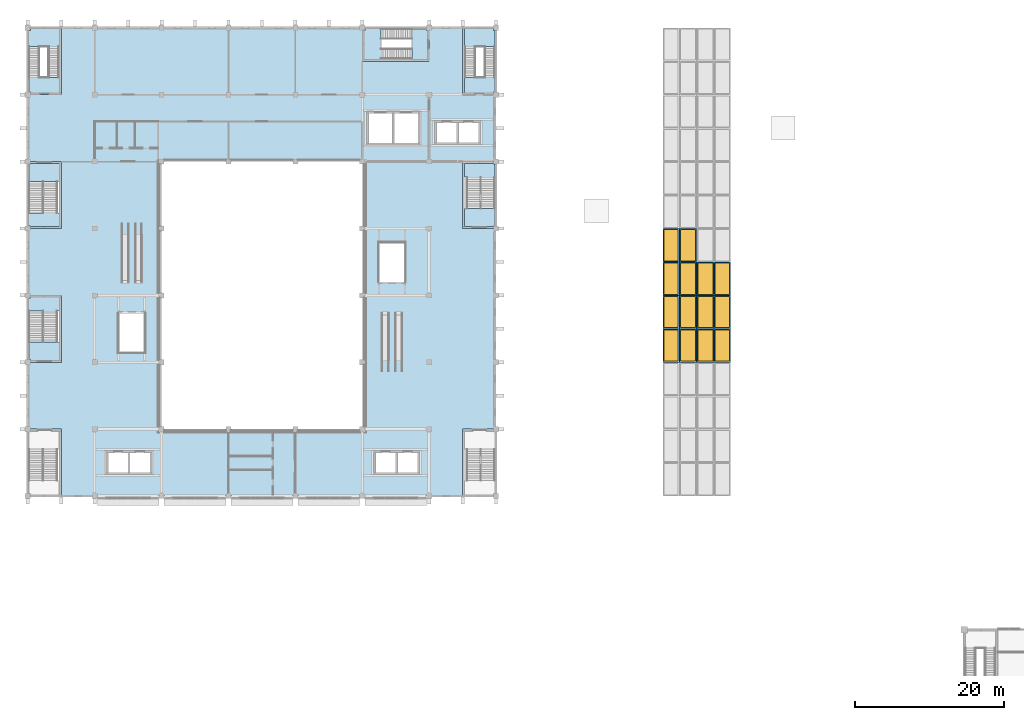
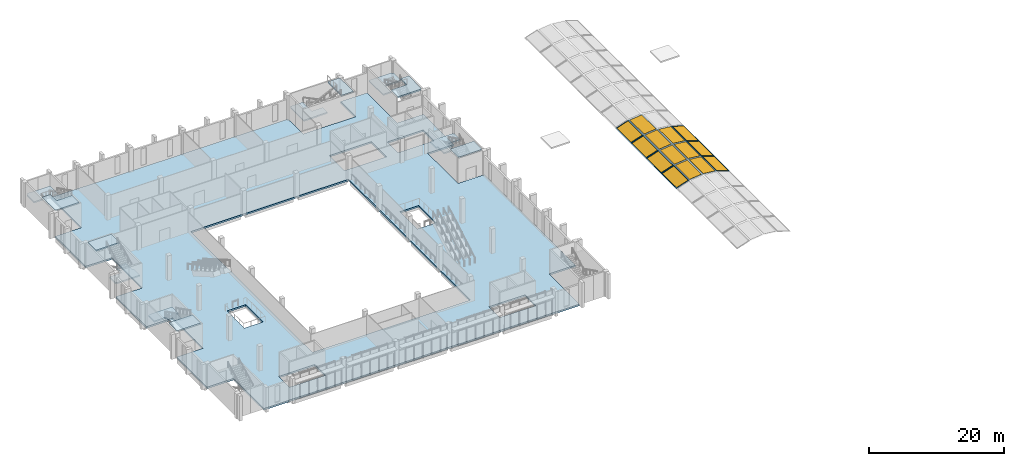
# One storey, part 20 of 45: 27 slabs, 14 windows, 14 openings, 6 elements without a shape of their own.
"""IFC4 building model written with IfcOpenShell, lengths in metres."""

from ifc_helpers import new_model, si_unit, direction, frame, origin, origin_2d, place, context, subcontext, project, spatial, polyline, rectangle, outline, extrude, material, layer, layer_set, type_object, element, fill, aggregate, save


model = new_model("IFC4")

# Units and contexts
model_context = context("Model", 3, precision=1e-05, world=origin(), true_north=direction((0.0, 1.0)))
body_context = subcontext(model_context, "Body", "Model", "MODEL_VIEW")
ifc_project = project(units=[si_unit("LENGTHUNIT", "METRE"), si_unit("AREAUNIT", "SQUARE_METRE"), si_unit("VOLUMEUNIT", "CUBIC_METRE"), si_unit("PLANEANGLEUNIT", "RADIAN"), si_unit("MASSUNIT", "GRAM", prefix="KILO")], contexts=[model_context])

# Site, building, storey
site_placement = place(None, origin())
site = spatial("IfcSite", under=ifc_project, at=site_placement, CompositionType="ELEMENT")
building_placement = place(site_placement, origin())
building = spatial("IfcBuilding", under=site, at=building_placement, Name="Guidao Yard Department Store", CompositionType="ELEMENT")
storey_placement = place(building_placement, frame((0.0, 0.0, 19.5)))
storey = spatial("IfcBuildingStorey", under=building, at=storey_placement, Name="L04", CompositionType="ELEMENT", Elevation=19.5)

# Slab
ifc_material_1 = material(Name="Concrete C35", Category="concrete")
ifc_layer_1 = layer(ifc_material_1, 0.300048828125)
ifc_layer_set_1 = layer_set([ifc_layer_1], Name="Flat slab 300 C35")
slab_type_1 = type_object("IfcSlabType", Name="Flat slab 300 C35", PredefinedType="FLOOR", material=ifc_layer_set_1)
slab_1_placement = place(storey_placement, frame((0.0, 0.0, -0.300048828125)))
element("IfcSlab", 1, at=slab_1_placement, inside=storey, type_object=slab_type_1, Name="Slab L04-H", PredefinedType="FLOOR", context=body_context, shape_type="SweptSolid", body=[
    extrude(outline(polyline([(58.5, 54.0), (58.5, 45.0), (4.5, 45.0), (4.5, 54.0), (0.0, 54.0), (0.0, 63.0), (4.5, 63.0), (4.5, 72.0), (0.0, 72.0), (0.0, 81.0), (4.5, 81.0), (4.5, 90.0), (0.0, 90.0), (0.0, 99.0), (4.5, 99.0), (4.5, 108.0), (45.0, 108.0), (45.0, 103.5), (54.0, 103.5), (54.0, 108.0), (58.5, 108.0), (58.5, 99.0), (63.0, 99.0), (63.0, 90.0), (58.5, 90.0), (58.5, 81.0), (63.0, 81.0), (63.0, 54.0), (58.5, 54.0)]), holes=[polyline([(13.5, 47.89990234375), (13.75, 47.89990234375), (16.699951171875, 47.89990234375), (16.699951171875, 51.10009765625), (13.75, 51.10009765625), (13.5, 51.10009765625), (10.550048828125, 51.10009765625), (10.550048828125, 47.89990234375), (13.5, 47.89990234375)]), polyline([(46.550048828125, 47.89990234375), (49.5, 47.89990234375), (49.75, 47.89990234375), (52.699951171875, 47.89990234375), (52.699951171875, 51.10009765625), (49.75, 51.10009765625), (49.5, 51.10009765625), (46.550048828125, 51.10009765625), (46.550048828125, 47.89990234375)]), polyline([(12.39990234375, 69.593994140625), (12.39990234375, 64.4560546875), (15.60009765625, 64.4560546875), (15.60009765625, 69.593994140625), (12.39990234375, 69.593994140625)]), polyline([(18.0, 54.0), (45.0, 54.0), (45.0, 90.0), (18.0, 90.0), (18.0, 54.0)]), polyline([(47.39990234375, 78.944091796875), (47.39990234375, 73.805908203125), (50.60009765625, 73.805908203125), (50.60009765625, 78.944091796875), (47.39990234375, 78.944091796875)]), polyline([(54.75, 92.300048828125), (57.699951171875, 92.300048828125), (57.949951171875, 92.300048828125), (60.89990234375, 92.300048828125), (60.89990234375, 95.5), (57.949951171875, 95.5), (57.699951171875, 95.5), (54.75, 95.5), (54.75, 92.300048828125)]), polyline([(52.75, 92.25), (52.75, 96.75), (49.300048828125, 96.75), (49.050048828125, 96.75), (45.60009765625, 96.75), (45.60009765625, 92.25), (49.050048828125, 92.25), (49.300048828125, 92.25), (52.75, 92.25)])]), origin(), (0.0, 0.0, 1.0), 0.300048828125),
])

# Slab, opening, window
ifc_material_2 = material(Name="Aluminium 6063-T5", Category="aluminium")
ifc_layer_2 = layer(ifc_material_2, 0.06005859375)
ifc_layer_set_2 = layer_set([ifc_layer_2], Name="Smoke vent frame SV2 aluminium")
slab_type_2 = type_object("IfcSlabType", Name="Smoke vent frame SV2 aluminium", PredefinedType="ROOF", material=ifc_layer_set_2)
slab_2_placement = place(storey_placement, frame((85.43310546875, 63.0, 0.541748046875), z_axis=(-0.314942635396, 0.0, 0.949110708195), x_axis=(0.949110708195, 0.0, 0.314942635396)))
slab_2 = element("IfcSlab", 2, at=slab_2_placement, inside=storey, type_object=slab_type_2, Name="Smoke vent frame C03-04A", PredefinedType="ROOF", context=body_context, shape_type="SweptSolid", body=[
    extrude(outline(polyline([(0.0, 0.0), (2.337200180755829, 0.0), (2.337200180755829, 4.5), (0.0, 4.5), (0.0, 0.0)])), origin(), (0.0, 0.0, -1.0), 0.06005859375),
])
opening_1_placement = place(slab_2_placement, frame((1.168701171875, 2.25, 0.0)))
opening_1 = element("IfcOpeningElement", 3, at=opening_1_placement, cuts=slab_2, Name="Opening SW-C03-04A", PredefinedType="OPENING", context=body_context, shape_type="SweptSolid", body=[
    extrude(rectangle(XDim=2.037353515625, YDim=4.199951171875, at=origin_2d()), frame((0.0, 0.0, 0.010009765625)), (0.0, 0.0, -1.0), 0.080078125),
])
ifc_material_3 = material(Name="Laminated glass in Aluminium 6063-T5 frame", Category="aluminium")
window_type = type_object("IfcWindowType", Name="Smoke vent SV2 operable skylight", PartitioningType="SINGLE_PANEL", PredefinedType="SKYLIGHT", material=ifc_material_3)
window_1_placement = place(opening_1_placement, frame((0.0, 0.0, -0.050048828125)))
window_1 = element("IfcWindow", 4, at=window_1_placement, inside=storey, type_object=window_type, Name="Smoke vent C03-04A", OverallHeight=4.199951171875, OverallWidth=2.037353515625, PartitioningType="SINGLE_PANEL", PredefinedType="SKYLIGHT", context=body_context, shape_type="SweptSolid", body=[
    extrude(rectangle(XDim=2.037353515625, YDim=4.199951171875, at=origin_2d()), origin(), (0.0, 0.0, 1.0), 0.050048828125),
])
fill(opening_1, window_1)

slab_3_placement = place(storey_placement, frame((85.43310546875, 67.5, 0.541748046875), z_axis=(-0.314942635396, 0.0, 0.949110708195), x_axis=(0.949110708195, 0.0, 0.314942635396)))
slab_3 = element("IfcSlab", 5, at=slab_3_placement, inside=storey, type_object=slab_type_2, Name="Smoke vent frame C03-04B", PredefinedType="ROOF", context=body_context, shape_type="SweptSolid", body=[
    extrude(outline(polyline([(0.0, 0.0), (2.337200180755829, 0.0), (2.337200180755829, 4.5), (0.0, 4.5), (0.0, 0.0)])), origin(), (0.0, 0.0, -1.0), 0.06005859375),
])
opening_2_placement = place(slab_3_placement, frame((1.168701171875, 2.25, 0.0)))
opening_2 = element("IfcOpeningElement", 6, at=opening_2_placement, cuts=slab_3, Name="Opening SW-C03-04B", PredefinedType="OPENING", context=body_context, shape_type="SweptSolid", body=[
    extrude(rectangle(XDim=2.037353515625, YDim=4.199951171875, at=origin_2d()), frame((0.0, 0.0, 0.010009765625)), (0.0, 0.0, -1.0), 0.080078125),
])
window_2_placement = place(opening_2_placement, frame((0.0, 0.0, -0.050048828125)))
window_2 = element("IfcWindow", 7, at=window_2_placement, inside=storey, type_object=window_type, Name="Smoke vent C03-04B", OverallHeight=4.199951171875, OverallWidth=2.037353515625, PartitioningType="SINGLE_PANEL", PredefinedType="SKYLIGHT", context=body_context, shape_type="SweptSolid", body=[
    extrude(rectangle(XDim=2.037353515625, YDim=4.199951171875, at=origin_2d()), origin(), (0.0, 0.0, 1.0), 0.050048828125),
])
fill(opening_2, window_2)

slab_4_placement = place(storey_placement, frame((87.6640625, 63.0, 1.280517578125), z_axis=(-0.106496330274, 0.0, 0.994313095377), x_axis=(0.994313095377, 0.0, 0.106496330274)))
slab_4 = element("IfcSlab", 8, at=slab_4_placement, inside=storey, type_object=slab_type_2, Name="Smoke vent frame C03-05A", PredefinedType="ROOF", context=body_context, shape_type="SweptSolid", body=[
    extrude(outline(polyline([(0.0, 0.0), (2.3429137709050942, 0.0), (2.3429137709050942, 4.5), (0.0, 4.5), (0.0, 0.0)])), origin(), (0.0, 0.0, -1.0), 0.06005859375),
])
opening_3_placement = place(slab_4_placement, frame((1.17138671875, 2.25, 0.0)))
opening_3 = element("IfcOpeningElement", 9, at=opening_3_placement, cuts=slab_4, Name="Opening SW-C03-05A", PredefinedType="OPENING", context=body_context, shape_type="SweptSolid", body=[
    extrude(rectangle(XDim=2.04296875, YDim=4.199951171875, at=origin_2d()), frame((0.0, 0.0, 0.010009765625)), (0.0, 0.0, -1.0), 0.080078125),
])
window_3_placement = place(opening_3_placement, frame((0.0, 0.0, -0.050048828125)))
window_3 = element("IfcWindow", 10, at=window_3_placement, inside=storey, type_object=window_type, Name="Smoke vent C03-05A", OverallHeight=4.199951171875, OverallWidth=2.04296875, PartitioningType="SINGLE_PANEL", PredefinedType="SKYLIGHT", context=body_context, shape_type="SweptSolid", body=[
    extrude(rectangle(XDim=2.04296875, YDim=4.199951171875, at=origin_2d()), origin(), (0.0, 0.0, 1.0), 0.050048828125),
])
fill(opening_3, window_3)

slab_5_placement = place(storey_placement, frame((87.6640625, 67.5, 1.280517578125), z_axis=(-0.106496330274, 0.0, 0.994313095377), x_axis=(0.994313095377, 0.0, 0.106496330274)))
slab_5 = element("IfcSlab", 11, at=slab_5_placement, inside=storey, type_object=slab_type_2, Name="Smoke vent frame C03-05B", PredefinedType="ROOF", context=body_context, shape_type="SweptSolid", body=[
    extrude(outline(polyline([(0.0, 0.0), (2.3429137709050942, 0.0), (2.3429137709050942, 4.5), (0.0, 4.5), (0.0, 0.0)])), origin(), (0.0, 0.0, -1.0), 0.06005859375),
])
opening_4_placement = place(slab_5_placement, frame((1.17138671875, 2.25, 0.0)))
opening_4 = element("IfcOpeningElement", 12, at=opening_4_placement, cuts=slab_5, Name="Opening SW-C03-05B", PredefinedType="OPENING", context=body_context, shape_type="SweptSolid", body=[
    extrude(rectangle(XDim=2.04296875, YDim=4.199951171875, at=origin_2d()), frame((0.0, 0.0, 0.010009765625)), (0.0, 0.0, -1.0), 0.080078125),
])
window_4_placement = place(opening_4_placement, frame((0.0, 0.0, -0.050048828125)))
window_4 = element("IfcWindow", 13, at=window_4_placement, inside=storey, type_object=window_type, Name="Smoke vent C03-05B", OverallHeight=4.199951171875, OverallWidth=2.04296875, PartitioningType="SINGLE_PANEL", PredefinedType="SKYLIGHT", context=body_context, shape_type="SweptSolid", body=[
    extrude(rectangle(XDim=2.04296875, YDim=4.199951171875, at=origin_2d()), origin(), (0.0, 0.0, 1.0), 0.050048828125),
])
fill(opening_4, window_4)

slab_6_placement = place(storey_placement, frame((90.00634765625, 63.0, 1.530029296875), z_axis=(0.106496330274, 0.0, 0.994313095377), x_axis=(0.994313095377, 0.0, -0.106496330274)))
slab_6 = element("IfcSlab", 14, at=slab_6_placement, inside=storey, type_object=slab_type_2, Name="Smoke vent frame C03-06A", PredefinedType="ROOF", context=body_context, shape_type="SweptSolid", body=[
    extrude(outline(polyline([(0.0, 0.0), (2.3429137709050942, 0.0), (2.3429137709050942, 4.5), (0.0, 4.5), (0.0, 0.0)])), origin(), (0.0, 0.0, -1.0), 0.06005859375),
])
opening_5_placement = place(slab_6_placement, frame((1.17138671875, 2.25, 0.0)))
opening_5 = element("IfcOpeningElement", 15, at=opening_5_placement, cuts=slab_6, Name="Opening SW-C03-06A", PredefinedType="OPENING", context=body_context, shape_type="SweptSolid", body=[
    extrude(rectangle(XDim=2.04296875, YDim=4.199951171875, at=origin_2d()), frame((0.0, 0.0, 0.010009765625)), (0.0, 0.0, -1.0), 0.080078125),
])
window_5_placement = place(opening_5_placement, frame((0.0, 0.0, -0.050048828125)))
window_5 = element("IfcWindow", 16, at=window_5_placement, inside=storey, type_object=window_type, Name="Smoke vent C03-06A", OverallHeight=4.199951171875, OverallWidth=2.04296875, PartitioningType="SINGLE_PANEL", PredefinedType="SKYLIGHT", context=body_context, shape_type="SweptSolid", body=[
    extrude(rectangle(XDim=2.04296875, YDim=4.199951171875, at=origin_2d()), origin(), (0.0, 0.0, 1.0), 0.050048828125),
])
fill(opening_5, window_5)

slab_7_placement = place(storey_placement, frame((90.00634765625, 67.5, 1.530029296875), z_axis=(0.106496330274, 0.0, 0.994313095377), x_axis=(0.994313095377, 0.0, -0.106496330274)))
slab_7 = element("IfcSlab", 17, at=slab_7_placement, inside=storey, type_object=slab_type_2, Name="Smoke vent frame C03-06B", PredefinedType="ROOF", context=body_context, shape_type="SweptSolid", body=[
    extrude(outline(polyline([(0.0, 0.0), (2.3429137709050942, 0.0), (2.3429137709050942, 4.5), (0.0, 4.5), (0.0, 0.0)])), origin(), (0.0, 0.0, -1.0), 0.06005859375),
])
opening_6_placement = place(slab_7_placement, frame((1.17138671875, 2.25, 0.0)))
opening_6 = element("IfcOpeningElement", 18, at=opening_6_placement, cuts=slab_7, Name="Opening SW-C03-06B", PredefinedType="OPENING", context=body_context, shape_type="SweptSolid", body=[
    extrude(rectangle(XDim=2.04296875, YDim=4.199951171875, at=origin_2d()), frame((0.0, 0.0, 0.010009765625)), (0.0, 0.0, -1.0), 0.080078125),
])
window_6_placement = place(opening_6_placement, frame((0.0, 0.0, -0.050048828125)))
window_6 = element("IfcWindow", 19, at=window_6_placement, inside=storey, type_object=window_type, Name="Smoke vent C03-06B", OverallHeight=4.199951171875, OverallWidth=2.04296875, PartitioningType="SINGLE_PANEL", PredefinedType="SKYLIGHT", context=body_context, shape_type="SweptSolid", body=[
    extrude(rectangle(XDim=2.04296875, YDim=4.199951171875, at=origin_2d()), origin(), (0.0, 0.0, 1.0), 0.050048828125),
])
fill(opening_6, window_6)

slab_8_placement = place(storey_placement, frame((92.3486328125, 63.0, 1.27783203125), z_axis=(0.314942635396, 0.0, 0.949110708195), x_axis=(0.949110708195, 0.0, -0.314942635396)))
slab_8 = element("IfcSlab", 20, at=slab_8_placement, inside=storey, type_object=slab_type_2, Name="Smoke vent frame C03-07A", PredefinedType="ROOF", context=body_context, shape_type="SweptSolid", body=[
    extrude(outline(polyline([(0.0, 0.0), (2.337200180755829, 0.0), (2.337200180755829, 4.5), (0.0, 4.5), (0.0, 0.0)])), origin(), (0.0, 0.0, -1.0), 0.06005859375),
])
opening_7_placement = place(slab_8_placement, frame((1.168701171875, 2.25, 0.0)))
opening_7 = element("IfcOpeningElement", 21, at=opening_7_placement, cuts=slab_8, Name="Opening SW-C03-07A", PredefinedType="OPENING", context=body_context, shape_type="SweptSolid", body=[
    extrude(rectangle(XDim=2.037353515625, YDim=4.199951171875, at=origin_2d()), frame((0.0, 0.0, 0.010009765625)), (0.0, 0.0, -1.0), 0.080078125),
])
window_7_placement = place(opening_7_placement, frame((0.0, 0.0, -0.050048828125)))
window_7 = element("IfcWindow", 22, at=window_7_placement, inside=storey, type_object=window_type, Name="Smoke vent C03-07A", OverallHeight=4.199951171875, OverallWidth=2.037353515625, PartitioningType="SINGLE_PANEL", PredefinedType="SKYLIGHT", context=body_context, shape_type="SweptSolid", body=[
    extrude(rectangle(XDim=2.037353515625, YDim=4.199951171875, at=origin_2d()), origin(), (0.0, 0.0, 1.0), 0.050048828125),
])
fill(opening_7, window_7)

slab_9_placement = place(storey_placement, frame((92.3486328125, 67.5, 1.27783203125), z_axis=(0.314942635396, 0.0, 0.949110708195), x_axis=(0.949110708195, 0.0, -0.314942635396)))
slab_9 = element("IfcSlab", 23, at=slab_9_placement, inside=storey, type_object=slab_type_2, Name="Smoke vent frame C03-07B", PredefinedType="ROOF", context=body_context, shape_type="SweptSolid", body=[
    extrude(outline(polyline([(0.0, 0.0), (2.337200180755829, 0.0), (2.337200180755829, 4.5), (0.0, 4.5), (0.0, 0.0)])), origin(), (0.0, 0.0, -1.0), 0.06005859375),
])
opening_8_placement = place(slab_9_placement, frame((1.168701171875, 2.25, 0.0)))
opening_8 = element("IfcOpeningElement", 24, at=opening_8_placement, cuts=slab_9, Name="Opening SW-C03-07B", PredefinedType="OPENING", context=body_context, shape_type="SweptSolid", body=[
    extrude(rectangle(XDim=2.037353515625, YDim=4.199951171875, at=origin_2d()), frame((0.0, 0.0, 0.010009765625)), (0.0, 0.0, -1.0), 0.080078125),
])
window_8_placement = place(opening_8_placement, frame((0.0, 0.0, -0.050048828125)))
window_8 = element("IfcWindow", 25, at=window_8_placement, inside=storey, type_object=window_type, Name="Smoke vent C03-07B", OverallHeight=4.199951171875, OverallWidth=2.037353515625, PartitioningType="SINGLE_PANEL", PredefinedType="SKYLIGHT", context=body_context, shape_type="SweptSolid", body=[
    extrude(rectangle(XDim=2.037353515625, YDim=4.199951171875, at=origin_2d()), origin(), (0.0, 0.0, 1.0), 0.050048828125),
])
fill(opening_8, window_8)

slab_10_placement = place(storey_placement, frame((85.43310546875, 72.0, 0.541748046875), z_axis=(-0.314942635396, 0.0, 0.949110708195), x_axis=(0.949110708195, 0.0, 0.314942635396)))
slab_10 = element("IfcSlab", 26, at=slab_10_placement, inside=storey, type_object=slab_type_2, Name="Smoke vent frame C04-04A", PredefinedType="ROOF", context=body_context, shape_type="SweptSolid", body=[
    extrude(outline(polyline([(0.0, 0.0), (2.337200180755829, 0.0), (2.337200180755829, 4.5), (0.0, 4.5), (0.0, 0.0)])), origin(), (0.0, 0.0, -1.0), 0.06005859375),
])
opening_9_placement = place(slab_10_placement, frame((1.168701171875, 2.25, 0.0)))
opening_9 = element("IfcOpeningElement", 27, at=opening_9_placement, cuts=slab_10, Name="Opening SW-C04-04A", PredefinedType="OPENING", context=body_context, shape_type="SweptSolid", body=[
    extrude(rectangle(XDim=2.037353515625, YDim=4.199951171875, at=origin_2d()), frame((0.0, 0.0, 0.010009765625)), (0.0, 0.0, -1.0), 0.080078125),
])
window_9_placement = place(opening_9_placement, frame((0.0, 0.0, -0.050048828125)))
window_9 = element("IfcWindow", 28, at=window_9_placement, inside=storey, type_object=window_type, Name="Smoke vent C04-04A", OverallHeight=4.199951171875, OverallWidth=2.037353515625, PartitioningType="SINGLE_PANEL", PredefinedType="SKYLIGHT", context=body_context, shape_type="SweptSolid", body=[
    extrude(rectangle(XDim=2.037353515625, YDim=4.199951171875, at=origin_2d()), origin(), (0.0, 0.0, 1.0), 0.050048828125),
])
fill(opening_9, window_9)

slab_11_placement = place(storey_placement, frame((85.43310546875, 76.5, 0.541748046875), z_axis=(-0.314942635396, 0.0, 0.949110708195), x_axis=(0.949110708195, 0.0, 0.314942635396)))
slab_11 = element("IfcSlab", 29, at=slab_11_placement, inside=storey, type_object=slab_type_2, Name="Smoke vent frame C04-04B", PredefinedType="ROOF", context=body_context, shape_type="SweptSolid", body=[
    extrude(outline(polyline([(0.0, 0.0), (2.337200180755829, 0.0), (2.337200180755829, 4.5), (0.0, 4.5), (0.0, 0.0)])), origin(), (0.0, 0.0, -1.0), 0.06005859375),
])
opening_10_placement = place(slab_11_placement, frame((1.168701171875, 2.25, 0.0)))
opening_10 = element("IfcOpeningElement", 30, at=opening_10_placement, cuts=slab_11, Name="Opening SW-C04-04B", PredefinedType="OPENING", context=body_context, shape_type="SweptSolid", body=[
    extrude(rectangle(XDim=2.037353515625, YDim=4.199951171875, at=origin_2d()), frame((0.0, 0.0, 0.010009765625)), (0.0, 0.0, -1.0), 0.080078125),
])
window_10_placement = place(opening_10_placement, frame((0.0, 0.0, -0.050048828125)))
window_10 = element("IfcWindow", 31, at=window_10_placement, inside=storey, type_object=window_type, Name="Smoke vent C04-04B", OverallHeight=4.199951171875, OverallWidth=2.037353515625, PartitioningType="SINGLE_PANEL", PredefinedType="SKYLIGHT", context=body_context, shape_type="SweptSolid", body=[
    extrude(rectangle(XDim=2.037353515625, YDim=4.199951171875, at=origin_2d()), origin(), (0.0, 0.0, 1.0), 0.050048828125),
])
fill(opening_10, window_10)

slab_12_placement = place(storey_placement, frame((87.6640625, 72.0, 1.280517578125), z_axis=(-0.106496330274, 0.0, 0.994313095377), x_axis=(0.994313095377, 0.0, 0.106496330274)))
slab_12 = element("IfcSlab", 32, at=slab_12_placement, inside=storey, type_object=slab_type_2, Name="Smoke vent frame C04-05A", PredefinedType="ROOF", context=body_context, shape_type="SweptSolid", body=[
    extrude(outline(polyline([(0.0, 0.0), (2.3429137709050942, 0.0), (2.3429137709050942, 4.5), (0.0, 4.5), (0.0, 0.0)])), origin(), (0.0, 0.0, -1.0), 0.06005859375),
])
opening_11_placement = place(slab_12_placement, frame((1.17138671875, 2.25, 0.0)))
opening_11 = element("IfcOpeningElement", 33, at=opening_11_placement, cuts=slab_12, Name="Opening SW-C04-05A", PredefinedType="OPENING", context=body_context, shape_type="SweptSolid", body=[
    extrude(rectangle(XDim=2.04296875, YDim=4.199951171875, at=origin_2d()), frame((0.0, 0.0, 0.010009765625)), (0.0, 0.0, -1.0), 0.080078125),
])
window_11_placement = place(opening_11_placement, frame((0.0, 0.0, -0.050048828125)))
window_11 = element("IfcWindow", 34, at=window_11_placement, inside=storey, type_object=window_type, Name="Smoke vent C04-05A", OverallHeight=4.199951171875, OverallWidth=2.04296875, PartitioningType="SINGLE_PANEL", PredefinedType="SKYLIGHT", context=body_context, shape_type="SweptSolid", body=[
    extrude(rectangle(XDim=2.04296875, YDim=4.199951171875, at=origin_2d()), origin(), (0.0, 0.0, 1.0), 0.050048828125),
])
fill(opening_11, window_11)

slab_13_placement = place(storey_placement, frame((87.6640625, 76.5, 1.280517578125), z_axis=(-0.106496330274, 0.0, 0.994313095377), x_axis=(0.994313095377, 0.0, 0.106496330274)))
slab_13 = element("IfcSlab", 35, at=slab_13_placement, inside=storey, type_object=slab_type_2, Name="Smoke vent frame C04-05B", PredefinedType="ROOF", context=body_context, shape_type="SweptSolid", body=[
    extrude(outline(polyline([(0.0, 0.0), (2.3429137709050942, 0.0), (2.3429137709050942, 4.5), (0.0, 4.5), (0.0, 0.0)])), origin(), (0.0, 0.0, -1.0), 0.06005859375),
])
opening_12_placement = place(slab_13_placement, frame((1.17138671875, 2.25, 0.0)))
opening_12 = element("IfcOpeningElement", 36, at=opening_12_placement, cuts=slab_13, Name="Opening SW-C04-05B", PredefinedType="OPENING", context=body_context, shape_type="SweptSolid", body=[
    extrude(rectangle(XDim=2.04296875, YDim=4.199951171875, at=origin_2d()), frame((0.0, 0.0, 0.010009765625)), (0.0, 0.0, -1.0), 0.080078125),
])
window_12_placement = place(opening_12_placement, frame((0.0, 0.0, -0.050048828125)))
window_12 = element("IfcWindow", 37, at=window_12_placement, inside=storey, type_object=window_type, Name="Smoke vent C04-05B", OverallHeight=4.199951171875, OverallWidth=2.04296875, PartitioningType="SINGLE_PANEL", PredefinedType="SKYLIGHT", context=body_context, shape_type="SweptSolid", body=[
    extrude(rectangle(XDim=2.04296875, YDim=4.199951171875, at=origin_2d()), origin(), (0.0, 0.0, 1.0), 0.050048828125),
])
fill(opening_12, window_12)

slab_14_placement = place(storey_placement, frame((90.00634765625, 72.0, 1.530029296875), z_axis=(0.106496330274, 0.0, 0.994313095377), x_axis=(0.994313095377, 0.0, -0.106496330274)))
slab_14 = element("IfcSlab", 38, at=slab_14_placement, inside=storey, type_object=slab_type_2, Name="Smoke vent frame C04-06A", PredefinedType="ROOF", context=body_context, shape_type="SweptSolid", body=[
    extrude(outline(polyline([(0.0, 0.0), (2.3429137709050942, 0.0), (2.3429137709050942, 4.5), (0.0, 4.5), (0.0, 0.0)])), origin(), (0.0, 0.0, -1.0), 0.06005859375),
])
opening_13_placement = place(slab_14_placement, frame((1.17138671875, 2.25, 0.0)))
opening_13 = element("IfcOpeningElement", 39, at=opening_13_placement, cuts=slab_14, Name="Opening SW-C04-06A", PredefinedType="OPENING", context=body_context, shape_type="SweptSolid", body=[
    extrude(rectangle(XDim=2.04296875, YDim=4.199951171875, at=origin_2d()), frame((0.0, 0.0, 0.010009765625)), (0.0, 0.0, -1.0), 0.080078125),
])
window_13_placement = place(opening_13_placement, frame((0.0, 0.0, -0.050048828125)))
window_13 = element("IfcWindow", 40, at=window_13_placement, inside=storey, type_object=window_type, Name="Smoke vent C04-06A", OverallHeight=4.199951171875, OverallWidth=2.04296875, PartitioningType="SINGLE_PANEL", PredefinedType="SKYLIGHT", context=body_context, shape_type="SweptSolid", body=[
    extrude(rectangle(XDim=2.04296875, YDim=4.199951171875, at=origin_2d()), origin(), (0.0, 0.0, 1.0), 0.050048828125),
])
fill(opening_13, window_13)

slab_15_placement = place(storey_placement, frame((92.3486328125, 72.0, 1.27783203125), z_axis=(0.314942635396, 0.0, 0.949110708195), x_axis=(0.949110708195, 0.0, -0.314942635396)))
slab_15 = element("IfcSlab", 41, at=slab_15_placement, inside=storey, type_object=slab_type_2, Name="Smoke vent frame C04-07A", PredefinedType="ROOF", context=body_context, shape_type="SweptSolid", body=[
    extrude(outline(polyline([(0.0, 0.0), (2.337200180755829, 0.0), (2.337200180755829, 4.5), (0.0, 4.5), (0.0, 0.0)])), origin(), (0.0, 0.0, -1.0), 0.06005859375),
])
opening_14_placement = place(slab_15_placement, frame((1.168701171875, 2.25, 0.0)))
opening_14 = element("IfcOpeningElement", 42, at=opening_14_placement, cuts=slab_15, Name="Opening SW-C04-07A", PredefinedType="OPENING", context=body_context, shape_type="SweptSolid", body=[
    extrude(rectangle(XDim=2.037353515625, YDim=4.199951171875, at=origin_2d()), frame((0.0, 0.0, 0.010009765625)), (0.0, 0.0, -1.0), 0.080078125),
])
window_14_placement = place(opening_14_placement, frame((0.0, 0.0, -0.050048828125)))
window_14 = element("IfcWindow", 43, at=window_14_placement, inside=storey, type_object=window_type, Name="Smoke vent C04-07A", OverallHeight=4.199951171875, OverallWidth=2.037353515625, PartitioningType="SINGLE_PANEL", PredefinedType="SKYLIGHT", context=body_context, shape_type="SweptSolid", body=[
    extrude(rectangle(XDim=2.037353515625, YDim=4.199951171875, at=origin_2d()), origin(), (0.0, 0.0, 1.0), 0.050048828125),
])
fill(opening_14, window_14)

# Stair, slabs
ifc_material_4 = material(Name="Concrete C35", Category="concrete")
stair_type_1 = type_object("IfcStairType", Name="Stair half-turn two-flight 1800 wide 4.5 m rise", PredefinedType="HALF_TURN_STAIR", material=ifc_material_4)
stair_1_placement = place(storey_placement, origin())
stair_1 = element("IfcStair", 44, at=stair_1_placement, inside=storey, type_object=stair_type_1, Name="Stair A1 L04 to L05", PredefinedType="HALF_TURN_STAIR")
ifc_material_5 = material(Name="Concrete C35", Category="concrete")
ifc_layer_3 = layer(ifc_material_5, 0.25)
ifc_layer_set_3 = layer_set([ifc_layer_3], Name="Stair landing RC 250 C35")
slab_type_3 = type_object("IfcSlabType", Name="Stair landing RC 250 C35", PredefinedType="LANDING", material=ifc_layer_set_3)
slab_16_placement = place(storey_placement, frame((0.0, 0.0, 2.0)))
slab_16 = element("IfcSlab", 45, at=slab_16_placement, type_object=slab_type_3, Name="SA1-L04 landing 1", PredefinedType="LANDING", context=body_context, shape_type="SweptSolid", body=[
    extrude(outline(polyline([(2.175048828125, 69.889892578125), (0.125, 69.889892578125), (0.125, 69.89990234375), (0.125, 71.64990234375), (0.35009765625, 71.64990234375), (0.35009765625, 71.75), (4.25, 71.75), (4.25, 69.89990234375), (3.97509765625, 69.89990234375), (3.97509765625, 68.070068359375), (2.175048828125, 68.070068359375), (2.175048828125, 69.889892578125)])), origin(), (0.0, 0.0, 1.0), 0.25),
])
slab_17_placement = place(storey_placement, frame((0.0, 0.0, 4.25)))
slab_17 = element("IfcSlab", 46, at=slab_17_placement, type_object=slab_type_3, Name="SA1-L04 landing 2", PredefinedType="LANDING", context=body_context, shape_type="SweptSolid", body=[
    extrude(outline(polyline([(2.175048828125, 65.699951171875), (2.175048828125, 65.7099609375), (4.25, 65.7099609375), (4.25, 63.25), (2.175048828125, 63.25), (0.35009765625, 63.25), (0.35009765625, 63.35009765625), (0.199951171875, 63.35009765625), (0.199951171875, 65.699951171875), (2.175048828125, 65.699951171875)])), origin(), (0.0, 0.0, 1.0), 0.25),
])
aggregate(stair_1, [slab_16, slab_17])

stair_2_placement = place(storey_placement, origin())
stair_2 = element("IfcStair", 47, at=stair_2_placement, inside=storey, type_object=stair_type_1, Name="Stair A3 L04 to L05", PredefinedType="HALF_TURN_STAIR")
slab_18_placement = place(storey_placement, frame((0.0, 0.0, 2.0)))
slab_18 = element("IfcSlab", 48, at=slab_18_placement, type_object=slab_type_3, Name="SA3-L04 landing 1", PredefinedType="LANDING", context=body_context, shape_type="SweptSolid", body=[
    extrude(outline(polyline([(0.35009765625, 81.25), (0.35009765625, 81.35009765625), (0.125, 81.35009765625), (0.125, 83.10009765625), (0.125, 83.110107421875), (2.175048828125, 83.110107421875), (2.175048828125, 84.929931640625), (3.97509765625, 84.929931640625), (3.97509765625, 83.10009765625), (4.25, 83.10009765625), (4.25, 81.25), (0.35009765625, 81.25)])), origin(), (0.0, 0.0, 1.0), 0.25),
])
slab_19_placement = place(storey_placement, frame((0.0, 0.0, 4.25)))
slab_19 = element("IfcSlab", 49, at=slab_19_placement, type_object=slab_type_3, Name="SA3-L04 landing 2", PredefinedType="LANDING", context=body_context, shape_type="SweptSolid", body=[
    extrude(outline(polyline([(2.175048828125, 87.2900390625), (2.175048828125, 87.300048828125), (0.199951171875, 87.300048828125), (0.199951171875, 89.64990234375), (0.35009765625, 89.64990234375), (0.35009765625, 89.75), (2.175048828125, 89.75), (4.25, 89.75), (4.25, 87.2900390625), (2.175048828125, 87.2900390625)])), origin(), (0.0, 0.0, 1.0), 0.25),
])
aggregate(stair_2, [slab_18, slab_19])

stair_3_placement = place(storey_placement, origin())
stair_3 = element("IfcStair", 50, at=stair_3_placement, inside=storey, type_object=stair_type_1, Name="Stair A4 L04 to L05", PredefinedType="HALF_TURN_STAIR")
slab_20_placement = place(storey_placement, frame((0.0, 0.0, 2.0)))
slab_20 = element("IfcSlab", 51, at=slab_20_placement, type_object=slab_type_3, Name="SA4-L04 landing 1", PredefinedType="LANDING", context=body_context, shape_type="SweptSolid", body=[
    extrude(outline(polyline([(59.02490234375, 87.89990234375), (58.75, 87.89990234375), (58.75, 89.75), (62.64990234375, 89.75), (62.64990234375, 89.64990234375), (62.875, 89.64990234375), (62.875, 87.89990234375), (62.875, 87.889892578125), (60.824951171875, 87.889892578125), (60.824951171875, 86.070068359375), (59.02490234375, 86.070068359375), (59.02490234375, 87.89990234375)])), origin(), (0.0, 0.0, 1.0), 0.25),
])
slab_21_placement = place(storey_placement, frame((0.0, 0.0, 4.25)))
slab_21 = element("IfcSlab", 52, at=slab_21_placement, type_object=slab_type_3, Name="SA4-L04 landing 2", PredefinedType="LANDING", context=body_context, shape_type="SweptSolid", body=[
    extrude(outline(polyline([(62.64990234375, 81.35009765625), (62.64990234375, 81.25), (60.824951171875, 81.25), (58.75, 81.25), (58.75, 83.7099609375), (60.824951171875, 83.7099609375), (60.824951171875, 83.699951171875), (62.800048828125, 83.699951171875), (62.800048828125, 81.35009765625), (62.64990234375, 81.35009765625)])), origin(), (0.0, 0.0, 1.0), 0.25),
])
aggregate(stair_3, [slab_20, slab_21])

ifc_material_6 = material(Name="Concrete C35", Category="concrete")
stair_type_2 = type_object("IfcStairType", Name="Stair half-turn two-flight 1400 wide 4.5 m rise", PredefinedType="HALF_TURN_STAIR", material=ifc_material_6)
stair_4_placement = place(storey_placement, origin())
stair_4 = element("IfcStair", 53, at=stair_4_placement, inside=storey, type_object=stair_type_2, Name="Stair A5 L04 to L05", PredefinedType="HALF_TURN_STAIR")
slab_22_placement = place(storey_placement, frame((0.0, 0.0, 2.0)))
slab_22 = element("IfcSlab", 54, at=slab_22_placement, type_object=slab_type_3, Name="SA5-L04 landing 1", PredefinedType="LANDING", context=body_context, shape_type="SweptSolid", body=[
    extrude(outline(polyline([(2.800048828125, 105.5), (1.52490234375, 105.5), (1.52490234375, 105.489990234375), (0.125, 105.489990234375), (0.125, 105.5), (0.125, 107.64990234375), (0.35009765625, 107.64990234375), (0.35009765625, 107.875), (4.25, 107.875), (4.25, 105.5), (4.199951171875, 105.5), (4.199951171875, 103.669921875), (2.800048828125, 103.669921875), (2.800048828125, 105.5)])), origin(), (0.0, 0.0, 1.0), 0.25),
])
slab_23_placement = place(storey_placement, frame((0.0, 0.0, 4.25)))
slab_23 = element("IfcSlab", 55, at=slab_23_placement, type_object=slab_type_3, Name="SA5-L04 landing 2", PredefinedType="LANDING", context=body_context, shape_type="SweptSolid", body=[
    extrude(outline(polyline([(4.25, 101.31005859375), (4.25, 99.25), (2.800048828125, 99.25), (0.35009765625, 99.25), (0.35009765625, 99.35009765625), (0.199951171875, 99.35009765625), (0.199951171875, 101.300048828125), (0.125, 101.300048828125), (0.125, 103.1298828125), (1.52490234375, 103.1298828125), (1.52490234375, 101.300048828125), (2.800048828125, 101.300048828125), (2.800048828125, 101.31005859375), (4.25, 101.31005859375)])), origin(), (0.0, 0.0, 1.0), 0.25),
])
aggregate(stair_4, [slab_22, slab_23])

stair_5_placement = place(storey_placement, origin())
stair_5 = element("IfcStair", 56, at=stair_5_placement, inside=storey, type_object=stair_type_2, Name="Stair A6 L04 to L05", PredefinedType="HALF_TURN_STAIR")
slab_24_placement = place(storey_placement, frame((0.0, 0.0, 2.0)))
slab_24 = element("IfcSlab", 57, at=slab_24_placement, type_object=slab_type_3, Name="SA6-L04 landing 1", PredefinedType="LANDING", context=body_context, shape_type="SweptSolid", body=[
    extrude(outline(polyline([(58.800048828125, 105.5), (58.75, 105.5), (58.75, 107.875), (62.64990234375, 107.875), (62.64990234375, 107.64990234375), (62.875, 107.64990234375), (62.875, 105.5), (62.875, 105.489990234375), (61.47509765625, 105.489990234375), (61.47509765625, 105.5), (60.199951171875, 105.5), (60.199951171875, 103.669921875), (58.800048828125, 103.669921875), (58.800048828125, 105.5)])), origin(), (0.0, 0.0, 1.0), 0.25),
])
slab_25_placement = place(storey_placement, frame((0.0, 0.0, 4.25)))
slab_25 = element("IfcSlab", 58, at=slab_25_placement, type_object=slab_type_3, Name="SA6-L04 landing 2", PredefinedType="LANDING", context=body_context, shape_type="SweptSolid", body=[
    extrude(outline(polyline([(58.75, 99.25), (58.75, 101.31005859375), (60.199951171875, 101.31005859375), (60.199951171875, 101.300048828125), (61.47509765625, 101.300048828125), (61.47509765625, 103.1298828125), (62.875, 103.1298828125), (62.875, 101.300048828125), (62.800048828125, 101.300048828125), (62.800048828125, 99.35009765625), (62.64990234375, 99.35009765625), (62.64990234375, 99.25), (60.199951171875, 99.25), (58.75, 99.25)])), origin(), (0.0, 0.0, 1.0), 0.25),
])
aggregate(stair_5, [slab_24, slab_25])

stair_6_placement = place(storey_placement, origin())
stair_6 = element("IfcStair", 59, at=stair_6_placement, inside=storey, type_object=stair_type_2, Name="Stair A7 L04 to L05", PredefinedType="HALF_TURN_STAIR")
slab_26_placement = place(storey_placement, frame((0.0, 0.0, 2.0)))
slab_26 = element("IfcSlab", 60, at=slab_26_placement, type_object=slab_type_3, Name="SA7-L04 landing 1", PredefinedType="LANDING", context=body_context, shape_type="SweptSolid", body=[
    extrude(outline(polyline([(47.5, 103.800048828125), (47.5, 103.75), (45.25, 103.75), (45.25, 107.64990234375), (45.35009765625, 107.64990234375), (45.35009765625, 107.875), (47.5, 107.875), (47.510009765625, 107.875), (47.510009765625, 106.47509765625), (47.5, 106.47509765625), (47.5, 105.199951171875), (49.330078125, 105.199951171875), (49.330078125, 103.800048828125), (47.5, 103.800048828125)])), origin(), (0.0, 0.0, 1.0), 0.25),
])
slab_27_placement = place(storey_placement, frame((0.0, 0.0, 4.25)))
slab_27 = element("IfcSlab", 61, at=slab_27_placement, type_object=slab_type_3, Name="SA7-L04 landing 2", PredefinedType="LANDING", context=body_context, shape_type="SweptSolid", body=[
    extrude(outline(polyline([(51.68994140625, 105.199951171875), (51.699951171875, 105.199951171875), (51.699951171875, 107.800048828125), (53.64990234375, 107.800048828125), (53.64990234375, 107.64990234375), (53.75, 107.64990234375), (53.75, 105.199951171875), (53.75, 103.75), (51.68994140625, 103.75), (51.68994140625, 105.199951171875)])), origin(), (0.0, 0.0, 1.0), 0.25),
])
aggregate(stair_6, [slab_26, slab_27])

save(model, "model.ifc")
